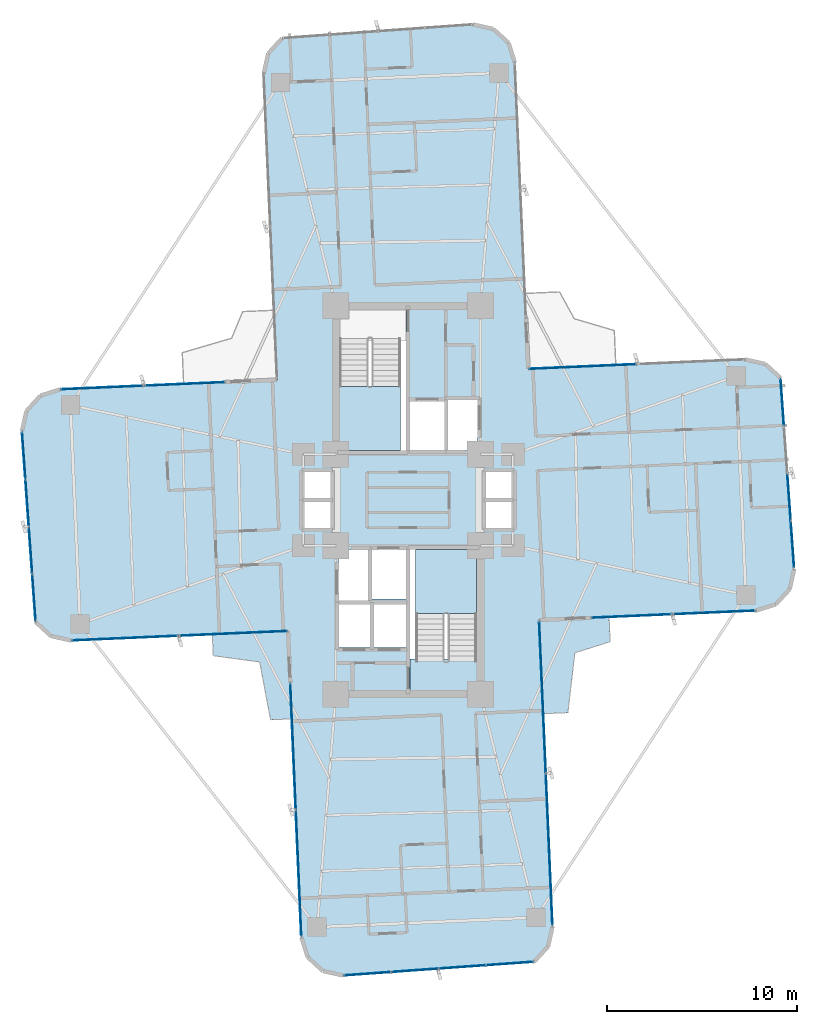
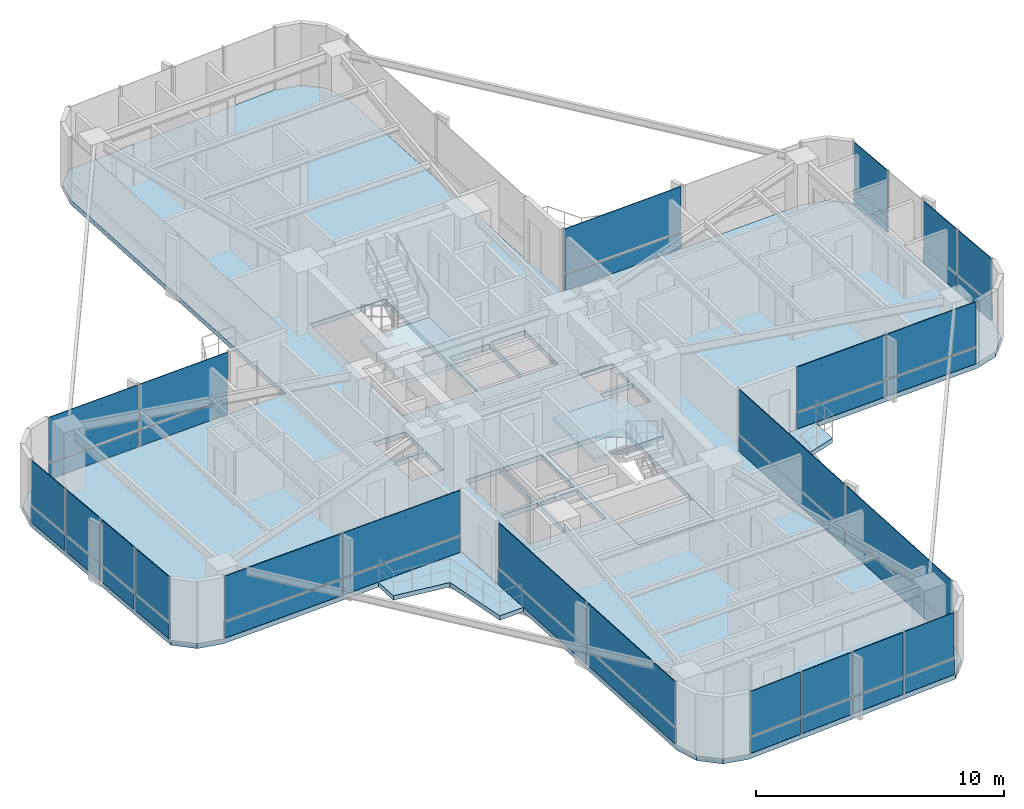
# One storey, part 21 of 26: 44 plates, 6 slabs, 11 elements without a shape of their own.
"""IFC4 building model written with IfcOpenShell, lengths in metres."""

from ifc_helpers import new_model, si_unit, direction, frame, origin, origin_2d, place, context, subcontext, project, spatial, polyline, rectangle, outline, extrude, source, transform, mapped, material, layer, layer_set, type_object, element, aggregate, save


model = new_model("IFC4")

# Units and contexts
model_context = context("Model", 3, precision=1e-05, world=origin(), true_north=direction((0.0, 1.0)))
body_context = subcontext(model_context, "Body", "Model", "MODEL_VIEW")
ifc_project = project(units=[si_unit("LENGTHUNIT", "METRE"), si_unit("AREAUNIT", "SQUARE_METRE"), si_unit("VOLUMEUNIT", "CUBIC_METRE"), si_unit("PLANEANGLEUNIT", "RADIAN"), si_unit("MASSUNIT", "GRAM", prefix="KILO")], contexts=[model_context])

# Site, building, storey
site_placement = place(None, origin())
site = spatial("IfcSite", under=ifc_project, at=site_placement, CompositionType="ELEMENT")
building_placement = place(site_placement, origin())
building = spatial("IfcBuilding", under=site, at=building_placement, Name="Sahyath Konkavel Grand Hotel", CompositionType="ELEMENT")
storey_placement = place(building_placement, frame((0.0, 0.0, 128.199951171875)))
storey = spatial("IfcBuildingStorey", under=building, at=storey_placement, Name="L35", CompositionType="ELEMENT", Elevation=128.199951171875)

# Slabs
ifc_material_1 = material(Name="Concrete C40/50", Category="concrete")
ifc_layer_1 = layer(ifc_material_1, 0.239990234375)
ifc_layer_set_1 = layer_set([ifc_layer_1], Name="Concrete C40/50")
slab_type_1 = type_object("IfcSlabType", Name="SLB-240", PredefinedType="FLOOR", material=ifc_layer_set_1)
slab_1_placement = place(storey_placement, frame((0.0, 0.0, -0.239990234375)))
element("IfcSlab", 1, at=slab_1_placement, inside=storey, type_object=slab_type_1, Name="L35 Structural Floor Slab", PredefinedType="FLOOR", context=body_context, shape_type="SweptSolid", body=[
    extrude(outline(polyline([(6.881591796875, -6.305908203125), (18.270751953125, -5.80859375), (19.3076171875, -5.481689453125), (20.0419921875, -4.68017578125), (20.277099609375, -3.618896484375), (19.5576171875, 6.4091796875), (18.75634765625, 7.1435546875), (17.695068359375, 7.37890625), (6.305908203125, 6.881591796875), (5.603515625, 22.96630859375), (5.276611328125, 24.0029296875), (4.47509765625, 24.7373046875), (3.4140625, 24.97265625), (-6.6142578125, 24.253173828125), (-7.3486328125, 23.451904296875), (-7.583984375, 22.390380859375), (-6.881591796875, 6.305908203125), (-18.270751953125, 5.80859375), (-19.3076171875, 5.481689453125), (-20.0419921875, 4.68017578125), (-20.277099609375, 3.618896484375), (-19.5576171875, -6.4091796875), (-18.75634765625, -7.1435546875), (-17.695068359375, -7.37890625), (-6.305908203125, -6.881591796875), (-5.603515625, -22.96630859375), (-5.276611328125, -24.0029296875), (-4.47509765625, -24.7373046875), (-3.4140625, -24.97265625), (6.6142578125, -24.253173828125), (7.3486328125, -23.451904296875), (7.583984375, -22.390380859375), (6.881591796875, -6.305908203125)]), holes=[polyline([(-3.6201171875, 2.580078125), (-0.10009765625, 2.580078125), (-0.10009765625, 10.02001953125), (-3.6201171875, 10.02001953125), (-3.6201171875, 2.580078125)]), polyline([(0.10009765625, -10.02001953125), (3.6201171875, -10.02001953125), (3.6201171875, -2.580078125), (0.10009765625, -2.580078125), (0.10009765625, -10.02001953125)]), polyline([(0.10009765625, 2.60009765625), (1.949951171875, 2.60009765625), (1.949951171875, 5.199951171875), (0.10009765625, 5.199951171875), (0.10009765625, 2.60009765625)]), polyline([(-1.949951171875, -5.199951171875), (-0.10009765625, -5.199951171875), (-0.10009765625, -2.60009765625), (-1.949951171875, -2.60009765625), (-1.949951171875, -5.199951171875)]), polyline([(2.050048828125, 2.60009765625), (3.64990234375, 2.60009765625), (3.64990234375, 5.300048828125), (2.050048828125, 5.300048828125), (2.050048828125, 2.60009765625)]), polyline([(-3.64990234375, -5.300048828125), (-2.050048828125, -5.300048828125), (-2.050048828125, -2.60009765625), (-3.64990234375, -2.60009765625), (-3.64990234375, -5.300048828125)]), polyline([(-3.64990234375, -7.75), (-1.949951171875, -7.75), (-1.949951171875, -5.449951171875), (-3.64990234375, -5.449951171875), (-3.64990234375, -7.75)]), polyline([(-1.85009765625, -7.75), (-0.10009765625, -7.75), (-0.10009765625, -5.449951171875), (-1.85009765625, -5.449951171875), (-1.85009765625, -7.75)]), polyline([(4.050048828125, 0.080078125), (5.550048828125, 0.080078125), (5.550048828125, 1.5400390625), (4.050048828125, 1.5400390625), (4.050048828125, 0.080078125)]), polyline([(4.050048828125, -1.5400390625), (5.550048828125, -1.5400390625), (5.550048828125, -0.080078125), (4.050048828125, -0.080078125), (4.050048828125, -1.5400390625)]), polyline([(-5.550048828125, 0.080078125), (-4.050048828125, 0.080078125), (-4.050048828125, 1.5400390625), (-5.550048828125, 1.5400390625), (-5.550048828125, 0.080078125)]), polyline([(-5.550048828125, -1.5400390625), (-4.050048828125, -1.5400390625), (-4.050048828125, -0.080078125), (-5.550048828125, -0.080078125), (-5.550048828125, -1.5400390625)])]), origin(), (0.0, 0.0, 1.0), 0.239990234375),
])
ifc_layer_2 = layer(ifc_material_1, 0.219970703125)
ifc_layer_set_2 = layer_set([ifc_layer_2], Name="Concrete C40/50")
slab_type_2 = type_object("IfcSlabType", Name="SLB-BALCONY-220", PredefinedType="FLOOR", material=ifc_layer_set_2)
slab_2_placement = place(storey_placement, frame((0.0, 0.0, -0.219970703125)))
element("IfcSlab", 2, at=slab_2_placement, inside=storey, type_object=slab_type_2, Name="L35 Winter-Garden Balcony SW", PredefinedType="FLOOR", context=body_context, shape_type="SweptSolid", body=[
    extrude(outline(polyline([(-6.305908203125, -6.881591796875), (-10.283935546875, -7.055419921875), (-10.235107421875, -8.177490234375), (-7.79638671875, -8.50830078125), (-7.2265625, -11.544189453125), (-6.1044921875, -11.4951171875), (-6.305908203125, -6.881591796875)])), origin(), (0.0, 0.0, 1.0), 0.219970703125),
])
slab_3_placement = place(storey_placement, frame((0.0, 0.0, -0.219970703125)))
element("IfcSlab", 3, at=slab_3_placement, inside=storey, type_object=slab_type_2, Name="L35 Winter-Garden Balcony SE", PredefinedType="FLOOR", context=body_context, shape_type="SweptSolid", body=[
    extrude(outline(polyline([(6.881591796875, -6.305908203125), (7.096435546875, -11.22509765625), (8.39111328125, -11.168701171875), (8.75830078125, -8.025634765625), (10.610595703125, -7.440185546875), (10.55419921875, -6.1455078125), (6.881591796875, -6.305908203125)])), origin(), (0.0, 0.0, 1.0), 0.219970703125),
])

# Stair, slab
stair_type = type_object("IfcStairType", Name="STR-ST16-335", PredefinedType="HALF_TURN_STAIR", material=ifc_material_1)
stair_1_placement = place(storey_placement, origin())
stair_1 = element("IfcStair", 4, at=stair_1_placement, inside=storey, type_object=stair_type, Name="L35 North Core Smokeproof Exit Stair ST-1", PredefinedType="HALF_TURN_STAIR")
ifc_layer_3 = layer(ifc_material_1, 0.199951171875)
ifc_layer_set_3 = layer_set([ifc_layer_3], Name="Concrete C40/50")
slab_type_3 = type_object("IfcSlabType", Name="SLB-STAIR-LND", PredefinedType="LANDING", material=ifc_layer_set_3)
slab_4_placement = place(storey_placement, frame((0.0, 0.0, 1.47509765625)))
slab_4 = element("IfcSlab", 5, at=slab_4_placement, type_object=slab_type_3, Name="ST-1 landing 1", PredefinedType="LANDING", context=body_context, shape_type="SweptSolid", body=[
    extrude(outline(polyline([(-3.60009765625, 5.9599609375), (-3.60009765625, 2.60009765625), (-0.39990234375, 2.60009765625), (-0.39990234375, 5.9599609375), (-3.60009765625, 5.9599609375)])), origin(), (0.0, 0.0, 1.0), 0.199951171875),
])
aggregate(stair_1, [slab_4])

stair_2_placement = place(storey_placement, origin())
stair_2 = element("IfcStair", 6, at=stair_2_placement, inside=storey, type_object=stair_type, Name="L35 South Core Smokeproof Exit Stair ST-2", PredefinedType="HALF_TURN_STAIR")
slab_5_placement = place(storey_placement, frame((0.0, 0.0, 1.47509765625)))
slab_5 = element("IfcSlab", 7, at=slab_5_placement, type_object=slab_type_3, Name="ST-2 landing 1", PredefinedType="LANDING", context=body_context, shape_type="SweptSolid", body=[
    extrude(outline(polyline([(3.60009765625, -5.9599609375), (3.60009765625, -2.60009765625), (0.39990234375, -2.60009765625), (0.39990234375, -5.9599609375), (3.60009765625, -5.9599609375)])), origin(), (0.0, 0.0, 1.0), 0.199951171875),
])
aggregate(stair_2, [slab_5])

# Slab
slab_6_placement = place(storey_placement, frame((0.0, 0.0, -0.199951171875)))
element("IfcSlab", 8, at=slab_6_placement, inside=storey, type_object=slab_type_3, Name="L35 Stair ST-2 Floor Landing Slab", PredefinedType="LANDING", context=body_context, shape_type="SweptSolid", body=[
    extrude(outline(polyline([(0.10009765625, -10.02001953125), (3.6201171875, -10.02001953125), (3.6201171875, -8.35009765625), (0.10009765625, -8.35009765625), (0.10009765625, -10.02001953125)])), origin(), (0.0, 0.0, 1.0), 0.199951171875),
])

# Curtain wall, plates
ifc_material_2 = material(Name="Anodised Bronze Aluminium & Low-E Glazing", Category="aluminium")
curtain_wall_type = type_object("IfcCurtainWallType", Name="CW-ZONE2", PredefinedType="NOTDEFINED", material=ifc_material_2)
curtain_wall_1_placement = place(storey_placement, origin())
curtain_wall_1 = element("IfcCurtainWall", 9, at=curtain_wall_1_placement, inside=storey, type_object=curtain_wall_type, Name="L35 Unitised Curtain Wall F0", PredefinedType="NOTDEFINED")
ifc_material_3 = material(Name="Warm Buff Sandstone Cladding", Category="masonry")
ifc_layer_4 = layer(ifc_material_3, 0.074951171875)
ifc_layer_set_4 = layer_set([ifc_layer_4], Name="Warm Buff Sandstone Cladding")
plate_type_1 = type_object("IfcPlateType", Name="PNL-SPANDREL-STONE", PredefinedType="SHEET", material=ifc_layer_set_4)
shared_shape_1 = source(origin(), body_context, "Body", "SweptSolid", [
    extrude(rectangle(XDim=4.22998046875, YDim=0.074951171875, at=origin_2d()), origin(), (0.0, 0.0, 1.0), 0.77001953125),
])
plate_1_placement = place(storey_placement, frame((11.77197265625, -6.09228515625, 0.0400390625), z_axis=(0.0, 0.0, 1.0), x_axis=(0.999048982732, 0.043601950678, 0.0)))
plate_1 = element("IfcPlate", 10, at=plate_1_placement, type_object=plate_type_1, Name="L35 Sandstone Relief Spandrel Panel F0-0", PredefinedType="SHEET", context=body_context, shape_type="MappedRepresentation", body=[
    mapped(shared_shape_1, transform((0.0, 0.0, 0.0), scale=1.0)),
])
plate_2_placement = place(storey_placement, frame((16.077880859375, -5.904296875, 0.0400390625), z_axis=(0.0, 0.0, 1.0), x_axis=(0.999048982732, 0.043601950678, 0.0)))
plate_2 = element("IfcPlate", 11, at=plate_2_placement, type_object=plate_type_1, Name="L35 Sandstone Relief Spandrel Panel F0-1", PredefinedType="SHEET", context=body_context, shape_type="MappedRepresentation", body=[
    mapped(shared_shape_1, transform((0.0, 0.0, 0.0), scale=1.0)),
])

curtain_wall_2_placement = place(storey_placement, origin())
curtain_wall_2 = element("IfcCurtainWall", 12, at=curtain_wall_2_placement, inside=storey, type_object=curtain_wall_type, Name="L35 Unitised Curtain Wall F16", PredefinedType="NOTDEFINED")
plate_3_placement = place(storey_placement, frame((-11.77197265625, 6.09228515625, 0.0400390625), z_axis=(0.0, 0.0, 1.0), x_axis=(-0.999048982732, -0.043601950678, 0.0)))
plate_3 = element("IfcPlate", 13, at=plate_3_placement, type_object=plate_type_1, Name="L35 Sandstone Relief Spandrel Panel F16-0", PredefinedType="SHEET", context=body_context, shape_type="MappedRepresentation", body=[
    mapped(shared_shape_1, transform((0.0, 0.0, 0.0), scale=1.0)),
])
plate_4_placement = place(storey_placement, frame((-16.077880859375, 5.904296875, 0.0400390625), z_axis=(0.0, 0.0, 1.0), x_axis=(-0.999048982732, -0.043601950678, 0.0)))
plate_4 = element("IfcPlate", 14, at=plate_4_placement, type_object=plate_type_1, Name="L35 Sandstone Relief Spandrel Panel F16-1", PredefinedType="SHEET", context=body_context, shape_type="MappedRepresentation", body=[
    mapped(shared_shape_1, transform((0.0, 0.0, 0.0), scale=1.0)),
])

curtain_wall_3_placement = place(storey_placement, origin())
curtain_wall_3 = element("IfcCurtainWall", 15, at=curtain_wall_3_placement, inside=storey, type_object=curtain_wall_type, Name="L35 Unitised Curtain Wall F4", PredefinedType="NOTDEFINED")
shared_shape_2 = source(origin(), body_context, "Body", "SweptSolid", [
    extrude(rectangle(XDim=2.41357421875, YDim=0.074951171875, at=origin_2d()), origin(), (0.0, 0.0, 1.0), 0.77001953125),
])
plate_5_placement = place(storey_placement, frame((20.18505859375, -2.335693359375, 0.0400390625), z_axis=(0.0, 0.0, 1.0), x_axis=(-0.071567078661, 0.997435789037, 0.0)))
plate_5 = element("IfcPlate", 16, at=plate_5_placement, type_object=plate_type_1, Name="L35 Sandstone Relief Spandrel Panel F4-0", PredefinedType="SHEET", context=body_context, shape_type="MappedRepresentation", body=[
    mapped(shared_shape_2, transform((0.0, 0.0, 0.0), scale=1.0)),
])
plate_6_placement = place(storey_placement, frame((20.006591796875, 0.151611328125, 0.0400390625), z_axis=(0.0, 0.0, 1.0), x_axis=(-0.071567078661, 0.997435789037, 0.0)))
plate_6 = element("IfcPlate", 17, at=plate_6_placement, type_object=plate_type_1, Name="L35 Sandstone Relief Spandrel Panel F4-1", PredefinedType="SHEET", context=body_context, shape_type="MappedRepresentation", body=[
    mapped(shared_shape_2, transform((0.0, 0.0, 0.0), scale=1.0)),
])
plate_7_placement = place(storey_placement, frame((19.64990234375, 5.125732421875, 0.0400390625), z_axis=(0.0, 0.0, 1.0), x_axis=(-0.071567078661, 0.997435789037, 0.0)))
plate_7 = element("IfcPlate", 18, at=plate_7_placement, type_object=plate_type_1, Name="L35 Sandstone Relief Spandrel Panel F4-3", PredefinedType="SHEET", context=body_context, shape_type="MappedRepresentation", body=[
    mapped(shared_shape_2, transform((0.0, 0.0, 0.0), scale=1.0)),
])

curtain_wall_4_placement = place(storey_placement, origin())
curtain_wall_4 = element("IfcCurtainWall", 19, at=curtain_wall_4_placement, inside=storey, type_object=curtain_wall_type, Name="L35 Unitised Curtain Wall F20", PredefinedType="NOTDEFINED")
plate_8_placement = place(storey_placement, frame((-20.18505859375, 2.335693359375, 0.0400390625), z_axis=(0.0, 0.0, 1.0), x_axis=(0.071567078661, -0.997435789037, 0.0)))
plate_8 = element("IfcPlate", 20, at=plate_8_placement, type_object=plate_type_1, Name="L35 Sandstone Relief Spandrel Panel F20-0", PredefinedType="SHEET", context=body_context, shape_type="MappedRepresentation", body=[
    mapped(shared_shape_2, transform((0.0, 0.0, 0.0), scale=1.0)),
])
plate_9_placement = place(storey_placement, frame((-20.006591796875, -0.151611328125, 0.0400390625), z_axis=(0.0, 0.0, 1.0), x_axis=(0.071567078661, -0.997435789037, 0.0)))
plate_9 = element("IfcPlate", 21, at=plate_9_placement, type_object=plate_type_1, Name="L35 Sandstone Relief Spandrel Panel F20-1", PredefinedType="SHEET", context=body_context, shape_type="MappedRepresentation", body=[
    mapped(shared_shape_2, transform((0.0, 0.0, 0.0), scale=1.0)),
])
plate_10_placement = place(storey_placement, frame((-19.828369140625, -2.638671875, 0.0400390625), z_axis=(0.0, 0.0, 1.0), x_axis=(0.071567078661, -0.997435789037, 0.0)))
plate_10 = element("IfcPlate", 22, at=plate_10_placement, type_object=plate_type_1, Name="L35 Sandstone Relief Spandrel Panel F20-2", PredefinedType="SHEET", context=body_context, shape_type="MappedRepresentation", body=[
    mapped(shared_shape_2, transform((0.0, 0.0, 0.0), scale=1.0)),
])
plate_11_placement = place(storey_placement, frame((-19.64990234375, -5.125732421875, 0.0400390625), z_axis=(0.0, 0.0, 1.0), x_axis=(0.071567078661, -0.997435789037, 0.0)))
plate_11 = element("IfcPlate", 23, at=plate_11_placement, type_object=plate_type_1, Name="L35 Sandstone Relief Spandrel Panel F20-3", PredefinedType="SHEET", context=body_context, shape_type="MappedRepresentation", body=[
    mapped(shared_shape_2, transform((0.0, 0.0, 0.0), scale=1.0)),
])

curtain_wall_5_placement = place(storey_placement, origin())
curtain_wall_5 = element("IfcCurtainWall", 24, at=curtain_wall_5_placement, inside=storey, type_object=curtain_wall_type, Name="L35 Unitised Curtain Wall F28", PredefinedType="NOTDEFINED")
plate_12_placement = place(storey_placement, frame((-2.130615234375, -24.880615234375, 0.0400390625), z_axis=(0.0, 0.0, 1.0), x_axis=(0.997435789037, 0.071567078661, 0.0)))
plate_12 = element("IfcPlate", 25, at=plate_12_placement, type_object=plate_type_1, Name="L35 Sandstone Relief Spandrel Panel F28-0", PredefinedType="SHEET", context=body_context, shape_type="MappedRepresentation", body=[
    mapped(shared_shape_2, transform((0.0, 0.0, 0.0), scale=1.0)),
])
plate_13_placement = place(storey_placement, frame((0.356689453125, -24.7021484375, 0.0400390625), z_axis=(0.0, 0.0, 1.0), x_axis=(0.997435789037, 0.071567078661, 0.0)))
plate_13 = element("IfcPlate", 26, at=plate_13_placement, type_object=plate_type_1, Name="L35 Sandstone Relief Spandrel Panel F28-1", PredefinedType="SHEET", context=body_context, shape_type="MappedRepresentation", body=[
    mapped(shared_shape_2, transform((0.0, 0.0, 0.0), scale=1.0)),
])
plate_14_placement = place(storey_placement, frame((2.84375, -24.523681640625, 0.0400390625), z_axis=(0.0, 0.0, 1.0), x_axis=(0.997435789037, 0.071567078661, 0.0)))
plate_14 = element("IfcPlate", 27, at=plate_14_placement, type_object=plate_type_1, Name="L35 Sandstone Relief Spandrel Panel F28-2", PredefinedType="SHEET", context=body_context, shape_type="MappedRepresentation", body=[
    mapped(shared_shape_2, transform((0.0, 0.0, 0.0), scale=1.0)),
])
plate_15_placement = place(storey_placement, frame((5.330810546875, -24.34521484375, 0.0400390625), z_axis=(0.0, 0.0, 1.0), x_axis=(0.997435789037, 0.071567078661, 0.0)))
plate_15 = element("IfcPlate", 28, at=plate_15_placement, type_object=plate_type_1, Name="L35 Sandstone Relief Spandrel Panel F28-3", PredefinedType="SHEET", context=body_context, shape_type="MappedRepresentation", body=[
    mapped(shared_shape_2, transform((0.0, 0.0, 0.0), scale=1.0)),
])

# Curtain wall, plate
curtain_wall_6_placement = place(storey_placement, origin())
curtain_wall_6 = element("IfcCurtainWall", 29, at=curtain_wall_6_placement, inside=storey, type_object=curtain_wall_type, Name="L35 Unitised Curtain Wall F7", PredefinedType="NOTDEFINED")
shared_shape_3 = source(origin(), body_context, "Body", "SweptSolid", [
    extrude(rectangle(XDim=5.580078125, YDim=0.074951171875, at=origin_2d()), origin(), (0.0, 0.0, 1.0), 0.77001953125),
])
plate_16_placement = place(storey_placement, frame((9.173095703125, 7.0068359375, 0.0400390625), z_axis=(0.0, 0.0, 1.0), x_axis=(-0.999048221582, -0.043619387365, 0.0)))
plate_16 = element("IfcPlate", 30, at=plate_16_placement, type_object=plate_type_1, Name="L35 Sandstone Relief Spandrel Panel F7-1", PredefinedType="SHEET", context=body_context, shape_type="MappedRepresentation", body=[
    mapped(shared_shape_3, transform((0.0, 0.0, 0.0), scale=1.0)),
])

# Curtain wall, plates
curtain_wall_7_placement = place(storey_placement, origin())
curtain_wall_7 = element("IfcCurtainWall", 31, at=curtain_wall_7_placement, inside=storey, type_object=curtain_wall_type, Name="L35 Unitised Curtain Wall F23", PredefinedType="NOTDEFINED")
plate_17_placement = place(storey_placement, frame((-14.82763671875, -7.25390625, 0.0400390625), z_axis=(0.0, 0.0, 1.0), x_axis=(0.999048221582, 0.043619387365, 0.0)))
plate_17 = element("IfcPlate", 32, at=plate_17_placement, type_object=plate_type_1, Name="L35 Sandstone Relief Spandrel Panel F23-0", PredefinedType="SHEET", context=body_context, shape_type="MappedRepresentation", body=[
    mapped(shared_shape_3, transform((0.0, 0.0, 0.0), scale=1.0)),
])
plate_18_placement = place(storey_placement, frame((-9.173095703125, -7.0068359375, 0.0400390625), z_axis=(0.0, 0.0, 1.0), x_axis=(0.999048221582, 0.043619387365, 0.0)))
plate_18 = element("IfcPlate", 33, at=plate_18_placement, type_object=plate_type_1, Name="L35 Sandstone Relief Spandrel Panel F23-1", PredefinedType="SHEET", context=body_context, shape_type="MappedRepresentation", body=[
    mapped(shared_shape_3, transform((0.0, 0.0, 0.0), scale=1.0)),
])

curtain_wall_8_placement = place(storey_placement, origin())
curtain_wall_8 = element("IfcCurtainWall", 34, at=curtain_wall_8_placement, inside=storey, type_object=curtain_wall_type, Name="L35 Unitised Curtain Wall F24", PredefinedType="NOTDEFINED")
shared_shape_4 = source(origin(), body_context, "Body", "SweptSolid", [
    extrude(rectangle(XDim=6.580078125, YDim=0.074951171875, at=origin_2d()), origin(), (0.0, 0.0, 1.0), 0.77001953125),
])
plate_19_placement = place(storey_placement, frame((-6.041015625, -12.94580078125, 0.0400390625), z_axis=(0.0, 0.0, 1.0), x_axis=(0.043619387365, -0.999048221582, 0.0)))
plate_19 = element("IfcPlate", 35, at=plate_19_placement, type_object=plate_type_1, Name="L35 Sandstone Relief Spandrel Panel F24-0", PredefinedType="SHEET", context=body_context, shape_type="MappedRepresentation", body=[
    mapped(shared_shape_4, transform((0.0, 0.0, 0.0), scale=1.0)),
])
plate_20_placement = place(storey_placement, frame((-5.75048828125, -19.599609375, 0.0400390625), z_axis=(0.0, 0.0, 1.0), x_axis=(0.043619387365, -0.999048221582, 0.0)))
plate_20 = element("IfcPlate", 36, at=plate_20_placement, type_object=plate_type_1, Name="L35 Sandstone Relief Spandrel Panel F24-1", PredefinedType="SHEET", context=body_context, shape_type="MappedRepresentation", body=[
    mapped(shared_shape_4, transform((0.0, 0.0, 0.0), scale=1.0)),
])

curtain_wall_9_placement = place(storey_placement, origin())
curtain_wall_9 = element("IfcCurtainWall", 37, at=curtain_wall_9_placement, inside=storey, type_object=curtain_wall_type, Name="L35 Unitised Curtain Wall F31", PredefinedType="NOTDEFINED")
shared_shape_5 = source(origin(), body_context, "Body", "SweptSolid", [
    extrude(rectangle(XDim=7.929931640625, YDim=0.074951171875, at=origin_2d()), origin(), (0.0, 0.0, 1.0), 0.77001953125),
])
plate_21_placement = place(storey_placement, frame((7.407470703125, -18.349365234375, 0.0400390625), z_axis=(0.0, 0.0, 1.0), x_axis=(-0.043619387365, 0.999048221582, 0.0)))
plate_21 = element("IfcPlate", 38, at=plate_21_placement, type_object=plate_type_1, Name="L35 Sandstone Relief Spandrel Panel F31-0", PredefinedType="SHEET", context=body_context, shape_type="MappedRepresentation", body=[
    mapped(shared_shape_5, transform((0.0, 0.0, 0.0), scale=1.0)),
])
plate_22_placement = place(storey_placement, frame((7.05810546875, -10.346923828125, 0.0400390625), z_axis=(0.0, 0.0, 1.0), x_axis=(-0.043619387365, 0.999048221582, 0.0)))
plate_22 = element("IfcPlate", 39, at=plate_22_placement, type_object=plate_type_1, Name="L35 Sandstone Relief Spandrel Panel F31-1", PredefinedType="SHEET", context=body_context, shape_type="MappedRepresentation", body=[
    mapped(shared_shape_5, transform((0.0, 0.0, 0.0), scale=1.0)),
])

# Plate
ifc_material_4 = material(Name="Low-E Solar Control Double Glazing", Category="glass")
ifc_layer_5 = layer(ifc_material_4, 0.035888671875)
ifc_layer_set_5 = layer_set([ifc_layer_5], Name="Low-E Solar Control Double Glazing")
plate_type_2 = type_object("IfcPlateType", Name="PNL-VISION-LOWE", PredefinedType="CURTAIN_PANEL", material=ifc_layer_set_5)
shared_shape_6 = source(origin(), body_context, "Body", "SweptSolid", [
    extrude(rectangle(XDim=4.22998046875, YDim=0.035888671875, at=origin_2d()), origin(), (0.0, 0.0, 1.0), 2.179931640625),
])
plate_23_placement = place(storey_placement, frame((11.77197265625, -6.09228515625, 0.89013671875), z_axis=(0.0, 0.0, 1.0), x_axis=(0.999048982732, 0.043601950678, 0.0)))
plate_23 = element("IfcPlate", 40, at=plate_23_placement, type_object=plate_type_2, Name="L35 Low-E Vision Glazing Panel F0-0", PredefinedType="CURTAIN_PANEL", context=body_context, shape_type="MappedRepresentation", body=[
    mapped(shared_shape_6, transform((0.0, 0.0, 0.0), scale=1.0)),
])

plate_24_placement = place(storey_placement, frame((16.077880859375, -5.904296875, 0.89013671875), z_axis=(0.0, 0.0, 1.0), x_axis=(0.999048982732, 0.043601950678, 0.0)))
plate_24 = element("IfcPlate", 41, at=plate_24_placement, type_object=plate_type_2, Name="L35 Low-E Vision Glazing Panel F0-1", PredefinedType="CURTAIN_PANEL", context=body_context, shape_type="MappedRepresentation", body=[
    mapped(shared_shape_6, transform((0.0, 0.0, 0.0), scale=1.0)),
])

aggregate(curtain_wall_1, [plate_1, plate_23, plate_2, plate_24])

plate_25_placement = place(storey_placement, frame((-11.77197265625, 6.09228515625, 0.89013671875), z_axis=(0.0, 0.0, 1.0), x_axis=(-0.999048982732, -0.043601950678, 0.0)))
plate_25 = element("IfcPlate", 42, at=plate_25_placement, type_object=plate_type_2, Name="L35 Low-E Vision Glazing Panel F16-0", PredefinedType="CURTAIN_PANEL", context=body_context, shape_type="MappedRepresentation", body=[
    mapped(shared_shape_6, transform((0.0, 0.0, 0.0), scale=1.0)),
])

plate_26_placement = place(storey_placement, frame((-16.077880859375, 5.904296875, 0.89013671875), z_axis=(0.0, 0.0, 1.0), x_axis=(-0.999048982732, -0.043601950678, 0.0)))
plate_26 = element("IfcPlate", 43, at=plate_26_placement, type_object=plate_type_2, Name="L35 Low-E Vision Glazing Panel F16-1", PredefinedType="CURTAIN_PANEL", context=body_context, shape_type="MappedRepresentation", body=[
    mapped(shared_shape_6, transform((0.0, 0.0, 0.0), scale=1.0)),
])

aggregate(curtain_wall_2, [plate_3, plate_25, plate_4, plate_26])

shared_shape_7 = source(origin(), body_context, "Body", "SweptSolid", [
    extrude(rectangle(XDim=2.41357421875, YDim=0.035888671875, at=origin_2d()), origin(), (0.0, 0.0, 1.0), 2.179931640625),
])
plate_27_placement = place(storey_placement, frame((20.18505859375, -2.335693359375, 0.89013671875), z_axis=(0.0, 0.0, 1.0), x_axis=(-0.071567078661, 0.997435789037, 0.0)))
plate_27 = element("IfcPlate", 44, at=plate_27_placement, type_object=plate_type_2, Name="L35 Low-E Vision Glazing Panel F4-0", PredefinedType="CURTAIN_PANEL", context=body_context, shape_type="MappedRepresentation", body=[
    mapped(shared_shape_7, transform((0.0, 0.0, 0.0), scale=1.0)),
])

plate_28_placement = place(storey_placement, frame((20.006591796875, 0.151611328125, 0.89013671875), z_axis=(0.0, 0.0, 1.0), x_axis=(-0.071567078661, 0.997435789037, 0.0)))
plate_28 = element("IfcPlate", 45, at=plate_28_placement, type_object=plate_type_2, Name="L35 Low-E Vision Glazing Panel F4-1", PredefinedType="CURTAIN_PANEL", context=body_context, shape_type="MappedRepresentation", body=[
    mapped(shared_shape_7, transform((0.0, 0.0, 0.0), scale=1.0)),
])

plate_29_placement = place(storey_placement, frame((19.64990234375, 5.125732421875, 0.89013671875), z_axis=(0.0, 0.0, 1.0), x_axis=(-0.071567078661, 0.997435789037, 0.0)))
plate_29 = element("IfcPlate", 46, at=plate_29_placement, type_object=plate_type_2, Name="L35 Low-E Vision Glazing Panel F4-3", PredefinedType="CURTAIN_PANEL", context=body_context, shape_type="MappedRepresentation", body=[
    mapped(shared_shape_7, transform((0.0, 0.0, 0.0), scale=1.0)),
])

aggregate(curtain_wall_3, [plate_5, plate_27, plate_6, plate_28, plate_7, plate_29])

plate_30_placement = place(storey_placement, frame((-20.18505859375, 2.335693359375, 0.89013671875), z_axis=(0.0, 0.0, 1.0), x_axis=(0.071567078661, -0.997435789037, 0.0)))
plate_30 = element("IfcPlate", 47, at=plate_30_placement, type_object=plate_type_2, Name="L35 Low-E Vision Glazing Panel F20-0", PredefinedType="CURTAIN_PANEL", context=body_context, shape_type="MappedRepresentation", body=[
    mapped(shared_shape_7, transform((0.0, 0.0, 0.0), scale=1.0)),
])

plate_31_placement = place(storey_placement, frame((-20.006591796875, -0.151611328125, 0.89013671875), z_axis=(0.0, 0.0, 1.0), x_axis=(0.071567078661, -0.997435789037, 0.0)))
plate_31 = element("IfcPlate", 48, at=plate_31_placement, type_object=plate_type_2, Name="L35 Low-E Vision Glazing Panel F20-1", PredefinedType="CURTAIN_PANEL", context=body_context, shape_type="MappedRepresentation", body=[
    mapped(shared_shape_7, transform((0.0, 0.0, 0.0), scale=1.0)),
])

plate_32_placement = place(storey_placement, frame((-19.828369140625, -2.638671875, 0.89013671875), z_axis=(0.0, 0.0, 1.0), x_axis=(0.071567078661, -0.997435789037, 0.0)))
plate_32 = element("IfcPlate", 49, at=plate_32_placement, type_object=plate_type_2, Name="L35 Low-E Vision Glazing Panel F20-2", PredefinedType="CURTAIN_PANEL", context=body_context, shape_type="MappedRepresentation", body=[
    mapped(shared_shape_7, transform((0.0, 0.0, 0.0), scale=1.0)),
])

plate_33_placement = place(storey_placement, frame((-19.64990234375, -5.125732421875, 0.89013671875), z_axis=(0.0, 0.0, 1.0), x_axis=(0.071567078661, -0.997435789037, 0.0)))
plate_33 = element("IfcPlate", 50, at=plate_33_placement, type_object=plate_type_2, Name="L35 Low-E Vision Glazing Panel F20-3", PredefinedType="CURTAIN_PANEL", context=body_context, shape_type="MappedRepresentation", body=[
    mapped(shared_shape_7, transform((0.0, 0.0, 0.0), scale=1.0)),
])

aggregate(curtain_wall_4, [plate_8, plate_30, plate_9, plate_31, plate_10, plate_32, plate_11, plate_33])

plate_34_placement = place(storey_placement, frame((-2.130615234375, -24.880615234375, 0.89013671875), z_axis=(0.0, 0.0, 1.0), x_axis=(0.997435789037, 0.071567078661, 0.0)))
plate_34 = element("IfcPlate", 51, at=plate_34_placement, type_object=plate_type_2, Name="L35 Low-E Vision Glazing Panel F28-0", PredefinedType="CURTAIN_PANEL", context=body_context, shape_type="MappedRepresentation", body=[
    mapped(shared_shape_7, transform((0.0, 0.0, 0.0), scale=1.0)),
])

plate_35_placement = place(storey_placement, frame((0.356689453125, -24.7021484375, 0.89013671875), z_axis=(0.0, 0.0, 1.0), x_axis=(0.997435789037, 0.071567078661, 0.0)))
plate_35 = element("IfcPlate", 52, at=plate_35_placement, type_object=plate_type_2, Name="L35 Low-E Vision Glazing Panel F28-1", PredefinedType="CURTAIN_PANEL", context=body_context, shape_type="MappedRepresentation", body=[
    mapped(shared_shape_7, transform((0.0, 0.0, 0.0), scale=1.0)),
])

plate_36_placement = place(storey_placement, frame((2.84375, -24.523681640625, 0.89013671875), z_axis=(0.0, 0.0, 1.0), x_axis=(0.997435789037, 0.071567078661, 0.0)))
plate_36 = element("IfcPlate", 53, at=plate_36_placement, type_object=plate_type_2, Name="L35 Low-E Vision Glazing Panel F28-2", PredefinedType="CURTAIN_PANEL", context=body_context, shape_type="MappedRepresentation", body=[
    mapped(shared_shape_7, transform((0.0, 0.0, 0.0), scale=1.0)),
])

plate_37_placement = place(storey_placement, frame((5.330810546875, -24.34521484375, 0.89013671875), z_axis=(0.0, 0.0, 1.0), x_axis=(0.997435789037, 0.071567078661, 0.0)))
plate_37 = element("IfcPlate", 54, at=plate_37_placement, type_object=plate_type_2, Name="L35 Low-E Vision Glazing Panel F28-3", PredefinedType="CURTAIN_PANEL", context=body_context, shape_type="MappedRepresentation", body=[
    mapped(shared_shape_7, transform((0.0, 0.0, 0.0), scale=1.0)),
])

aggregate(curtain_wall_5, [plate_12, plate_34, plate_13, plate_35, plate_14, plate_36, plate_15, plate_37])

shared_shape_8 = source(origin(), body_context, "Body", "SweptSolid", [
    extrude(rectangle(XDim=5.580078125, YDim=0.035888671875, at=origin_2d()), origin(), (0.0, 0.0, 1.0), 2.179931640625),
])
plate_38_placement = place(storey_placement, frame((9.173095703125, 7.0068359375, 0.89013671875), z_axis=(0.0, 0.0, 1.0), x_axis=(-0.999048221582, -0.043619387365, 0.0)))
plate_38 = element("IfcPlate", 55, at=plate_38_placement, type_object=plate_type_2, Name="L35 Low-E Vision Glazing Panel F7-1", PredefinedType="CURTAIN_PANEL", context=body_context, shape_type="MappedRepresentation", body=[
    mapped(shared_shape_8, transform((0.0, 0.0, 0.0), scale=1.0)),
])

aggregate(curtain_wall_6, [plate_16, plate_38])

plate_39_placement = place(storey_placement, frame((-14.82763671875, -7.25390625, 0.89013671875), z_axis=(0.0, 0.0, 1.0), x_axis=(0.999048221582, 0.043619387365, 0.0)))
plate_39 = element("IfcPlate", 56, at=plate_39_placement, type_object=plate_type_2, Name="L35 Low-E Vision Glazing Panel F23-0", PredefinedType="CURTAIN_PANEL", context=body_context, shape_type="MappedRepresentation", body=[
    mapped(shared_shape_8, transform((0.0, 0.0, 0.0), scale=1.0)),
])

plate_40_placement = place(storey_placement, frame((-9.173095703125, -7.0068359375, 0.89013671875), z_axis=(0.0, 0.0, 1.0), x_axis=(0.999048221582, 0.043619387365, 0.0)))
plate_40 = element("IfcPlate", 57, at=plate_40_placement, type_object=plate_type_2, Name="L35 Low-E Vision Glazing Panel F23-1", PredefinedType="CURTAIN_PANEL", context=body_context, shape_type="MappedRepresentation", body=[
    mapped(shared_shape_8, transform((0.0, 0.0, 0.0), scale=1.0)),
])

aggregate(curtain_wall_7, [plate_17, plate_39, plate_18, plate_40])

shared_shape_9 = source(origin(), body_context, "Body", "SweptSolid", [
    extrude(rectangle(XDim=6.580078125, YDim=0.035888671875, at=origin_2d()), origin(), (0.0, 0.0, 1.0), 2.179931640625),
])
plate_41_placement = place(storey_placement, frame((-6.041015625, -12.94580078125, 0.89013671875), z_axis=(0.0, 0.0, 1.0), x_axis=(0.043619387365, -0.999048221582, 0.0)))
plate_41 = element("IfcPlate", 58, at=plate_41_placement, type_object=plate_type_2, Name="L35 Low-E Vision Glazing Panel F24-0", PredefinedType="CURTAIN_PANEL", context=body_context, shape_type="MappedRepresentation", body=[
    mapped(shared_shape_9, transform((0.0, 0.0, 0.0), scale=1.0)),
])

plate_42_placement = place(storey_placement, frame((-5.75048828125, -19.599609375, 0.89013671875), z_axis=(0.0, 0.0, 1.0), x_axis=(0.043619387365, -0.999048221582, 0.0)))
plate_42 = element("IfcPlate", 59, at=plate_42_placement, type_object=plate_type_2, Name="L35 Low-E Vision Glazing Panel F24-1", PredefinedType="CURTAIN_PANEL", context=body_context, shape_type="MappedRepresentation", body=[
    mapped(shared_shape_9, transform((0.0, 0.0, 0.0), scale=1.0)),
])

aggregate(curtain_wall_8, [plate_19, plate_41, plate_20, plate_42])

shared_shape_10 = source(origin(), body_context, "Body", "SweptSolid", [
    extrude(rectangle(XDim=7.929931640625, YDim=0.035888671875, at=origin_2d()), origin(), (0.0, 0.0, 1.0), 2.179931640625),
])
plate_43_placement = place(storey_placement, frame((7.407470703125, -18.349365234375, 0.89013671875), z_axis=(0.0, 0.0, 1.0), x_axis=(-0.043619387365, 0.999048221582, 0.0)))
plate_43 = element("IfcPlate", 60, at=plate_43_placement, type_object=plate_type_2, Name="L35 Low-E Vision Glazing Panel F31-0", PredefinedType="CURTAIN_PANEL", context=body_context, shape_type="MappedRepresentation", body=[
    mapped(shared_shape_10, transform((0.0, 0.0, 0.0), scale=1.0)),
])

plate_44_placement = place(storey_placement, frame((7.05810546875, -10.346923828125, 0.89013671875), z_axis=(0.0, 0.0, 1.0), x_axis=(-0.043619387365, 0.999048221582, 0.0)))
plate_44 = element("IfcPlate", 61, at=plate_44_placement, type_object=plate_type_2, Name="L35 Low-E Vision Glazing Panel F31-1", PredefinedType="CURTAIN_PANEL", context=body_context, shape_type="MappedRepresentation", body=[
    mapped(shared_shape_10, transform((0.0, 0.0, 0.0), scale=1.0)),
])

aggregate(curtain_wall_9, [plate_21, plate_43, plate_22, plate_44])

save(model, "model.ifc")
